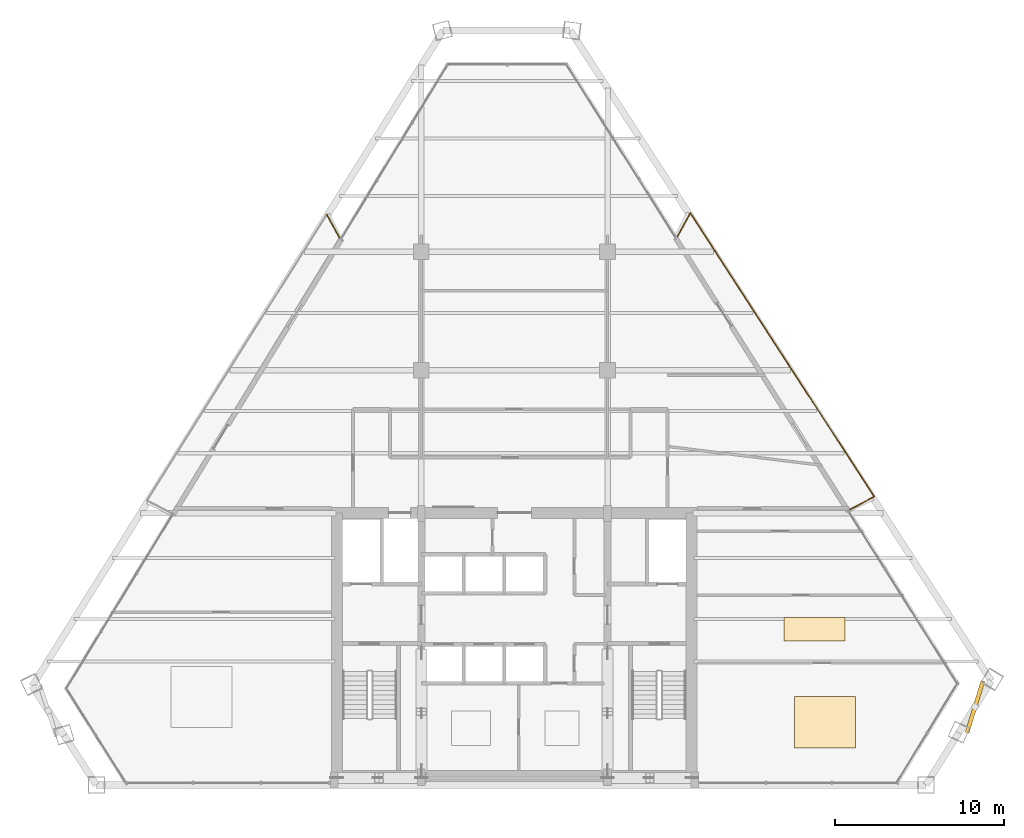
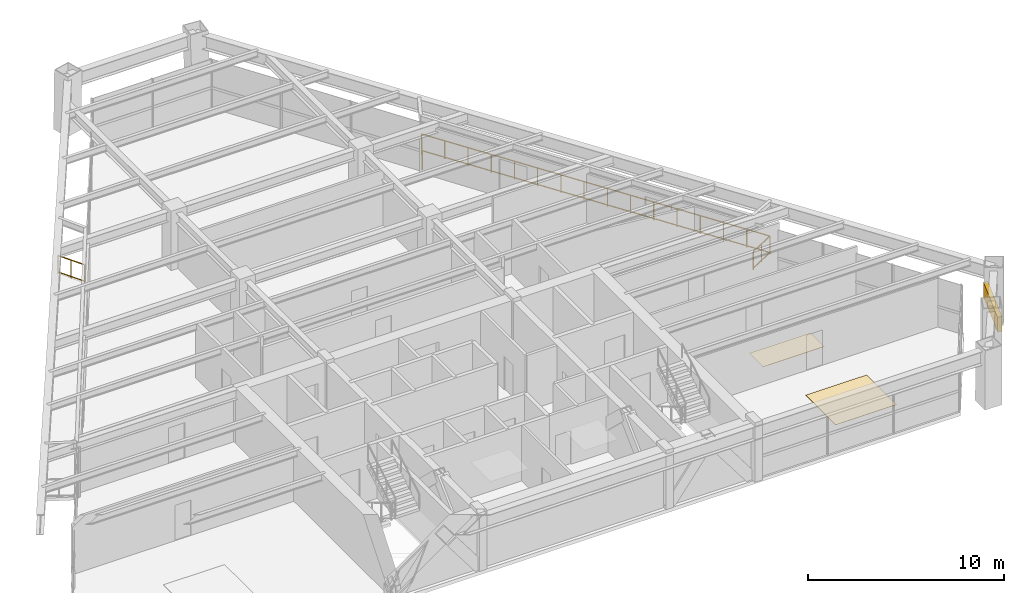
# One storey, part 13 of 13: 4 railings, 2 coverings, 1 shading device.
"""IFC4 building model written with IfcOpenShell, lengths in metres."""

from ifc_helpers import new_model, si_unit, direction, frame, origin, origin_2d, place, context, subcontext, project, spatial, rectangle, extrude, source, transform, mapped, material, layer, layer_set, type_object, type_shapes, element, save


model = new_model("IFC4")

# Units and contexts
model_context = context("Model", 3, precision=1e-05, world=origin(), true_north=direction((0.0, 1.0)))
body_context = subcontext(model_context, "Body", "Model", "MODEL_VIEW")
ifc_project = project(units=[si_unit("LENGTHUNIT", "METRE"), si_unit("AREAUNIT", "SQUARE_METRE"), si_unit("VOLUMEUNIT", "CUBIC_METRE"), si_unit("PLANEANGLEUNIT", "RADIAN"), si_unit("MASSUNIT", "GRAM", prefix="KILO")], contexts=[model_context])

# Site, building, storey
site_placement = place(None, origin())
site = spatial("IfcSite", under=ifc_project, at=site_placement, CompositionType="ELEMENT")
building_placement = place(site_placement, origin())
building = spatial("IfcBuilding", under=site, at=building_placement, Name="Varnakhor Terracotta Tower", CompositionType="ELEMENT")
storey_placement = place(building_placement, frame((0.0, 0.0, 200.60009765625)))
storey = spatial("IfcBuildingStorey", under=building, at=storey_placement, Name="L51", CompositionType="ELEMENT", Elevation=200.60009765625)

# Railings
ifc_material_1 = material(Name="Stainless Steel & Laminated Glass Guardrail", Category="steel")
railing_type = type_object("IfcRailingType", Name="RLG-LOGGIA-GUARD-1150", PredefinedType="GUARDRAIL", material=ifc_material_1)
railing_1_placement = place(storey_placement, frame((9.635498046875, 32.41064453125, 0.0)))
element("IfcRailing", 1, at=railing_1_placement, inside=storey, type_object=railing_type, Name="L51 E Loggia Glass Guard 1", PredefinedType="GUARDRAIL", context=body_context, shape_type="SweptSolid", body=[
    extrude(rectangle(XDim=0.048095703125, YDim=0.048095703125, at=origin_2d()), frame((0.0, 0.0, 1.1259765625), z_axis=(0.479382768446, 0.877605925981, 0.0), x_axis=(-0.877605925981, 0.479382768446, 0.0)), (0.0, 0.0, 1.0), 1.579345703125),
    extrude(rectangle(XDim=0.048095703125, YDim=0.048095703125, at=origin_2d()), frame((0.0, 0.0, 0.10009765625), z_axis=(0.479382768446, 0.877605925981, 0.0), x_axis=(-0.877605925981, 0.479382768446, 0.0)), (0.0, 0.0, 1.0), 1.579345703125),
    extrude(rectangle(XDim=0.0419921875, YDim=0.0419921875, at=origin_2d()), origin(), (0.0, 0.0, 1.0), 1.101806640625),
    extrude(rectangle(XDim=0.0419921875, YDim=0.0419921875, at=origin_2d()), frame((0.37841796875, 0.69287109375, 0.0)), (0.0, 0.0, 1.0), 1.101806640625),
    extrude(rectangle(XDim=0.0419921875, YDim=0.0419921875, at=origin_2d()), frame((0.757080078125, 1.385986328125, 0.0)), (0.0, 0.0, 1.0), 1.101806640625),
])
railing_2_placement = place(storey_placement, frame((10.392578125, 33.796630859375, 0.0)))
element("IfcRailing", 2, at=railing_2_placement, inside=storey, type_object=railing_type, Name="L51 E Loggia Glass Guard 2", PredefinedType="GUARDRAIL", context=body_context, shape_type="SweptSolid", body=[
    extrude(rectangle(XDim=0.048095703125, YDim=0.048095703125, at=origin_2d()), frame((0.0, 0.0, 1.1259765625), z_axis=(0.543813205443, -0.839206290245, 0.0), x_axis=(0.839206290245, 0.543813205443, 0.0)), (0.0, 0.0, 1.0), 19.973876953125),
    extrude(rectangle(XDim=0.048095703125, YDim=0.048095703125, at=origin_2d()), frame((0.0, 0.0, 0.10009765625), z_axis=(0.543813205443, -0.839206290245, 0.0), x_axis=(0.839206290245, 0.543813205443, 0.0)), (0.0, 0.0, 1.0), 19.973876953125),
    extrude(rectangle(XDim=0.0419921875, YDim=0.0419921875, at=origin_2d()), origin(), (0.0, 0.0, 1.0), 1.101806640625),
    extrude(rectangle(XDim=0.0419921875, YDim=0.0419921875, at=origin_2d()), frame((0.72412109375, -1.117431640625, 0.0)), (0.0, 0.0, 1.0), 1.101806640625),
    extrude(rectangle(XDim=0.0419921875, YDim=0.0419921875, at=origin_2d()), frame((1.4482421875, -2.23486328125, 0.0)), (0.0, 0.0, 1.0), 1.101806640625),
    extrude(rectangle(XDim=0.0419921875, YDim=0.0419921875, at=origin_2d()), frame((2.17236328125, -3.3525390625, 0.0)), (0.0, 0.0, 1.0), 1.101806640625),
    extrude(rectangle(XDim=0.0419921875, YDim=0.0419921875, at=origin_2d()), frame((2.896484375, -4.469970703125, 0.0)), (0.0, 0.0, 1.0), 1.101806640625),
    extrude(rectangle(XDim=0.0419921875, YDim=0.0419921875, at=origin_2d()), frame((3.62060546875, -5.58740234375, 0.0)), (0.0, 0.0, 1.0), 1.101806640625),
    extrude(rectangle(XDim=0.0419921875, YDim=0.0419921875, at=origin_2d()), frame((4.3447265625, -6.704833984375, 0.0)), (0.0, 0.0, 1.0), 1.101806640625),
    extrude(rectangle(XDim=0.0419921875, YDim=0.0419921875, at=origin_2d()), frame((5.06884765625, -7.822265625, 0.0)), (0.0, 0.0, 1.0), 1.101806640625),
    extrude(rectangle(XDim=0.0419921875, YDim=0.0419921875, at=origin_2d()), frame((5.793212890625, -8.93994140625, 0.0)), (0.0, 0.0, 1.0), 1.101806640625),
    extrude(rectangle(XDim=0.0419921875, YDim=0.0419921875, at=origin_2d()), frame((6.517333984375, -10.057373046875, 0.0)), (0.0, 0.0, 1.0), 1.101806640625),
    extrude(rectangle(XDim=0.0419921875, YDim=0.0419921875, at=origin_2d()), frame((7.241455078125, -11.1748046875, 0.0)), (0.0, 0.0, 1.0), 1.101806640625),
    extrude(rectangle(XDim=0.0419921875, YDim=0.0419921875, at=origin_2d()), frame((7.965576171875, -12.292236328125, 0.0)), (0.0, 0.0, 1.0), 1.101806640625),
    extrude(rectangle(XDim=0.0419921875, YDim=0.0419921875, at=origin_2d()), frame((8.689697265625, -13.40966796875, 0.0)), (0.0, 0.0, 1.0), 1.101806640625),
    extrude(rectangle(XDim=0.0419921875, YDim=0.0419921875, at=origin_2d()), frame((9.413818359375, -14.52734375, 0.0)), (0.0, 0.0, 1.0), 1.101806640625),
    extrude(rectangle(XDim=0.0419921875, YDim=0.0419921875, at=origin_2d()), frame((10.137939453125, -15.644775390625, 0.0)), (0.0, 0.0, 1.0), 1.101806640625),
    extrude(rectangle(XDim=0.0419921875, YDim=0.0419921875, at=origin_2d()), frame((10.862060546875, -16.76220703125, 0.0)), (0.0, 0.0, 1.0), 1.101806640625),
])
railing_3_placement = place(storey_placement, frame((21.254638671875, 17.034423828125, 0.0)))
element("IfcRailing", 3, at=railing_3_placement, inside=storey, type_object=railing_type, Name="L51 E Loggia Glass Guard 3", PredefinedType="GUARDRAIL", context=body_context, shape_type="SweptSolid", body=[
    extrude(rectangle(XDim=0.048095703125, YDim=0.048095703125, at=origin_2d()), frame((0.0, 0.0, 1.1259765625), z_axis=(-0.879870096666, -0.475214281133, 0.0), x_axis=(0.475214281133, -0.879870096666, 0.0)), (0.0, 0.0, 1.0), 1.619384765625),
    extrude(rectangle(XDim=0.048095703125, YDim=0.048095703125, at=origin_2d()), frame((0.0, 0.0, 0.10009765625), z_axis=(-0.879870096666, -0.475214281133, 0.0), x_axis=(0.475214281133, -0.879870096666, 0.0)), (0.0, 0.0, 1.0), 1.619384765625),
    extrude(rectangle(XDim=0.0419921875, YDim=0.0419921875, at=origin_2d()), origin(), (0.0, 0.0, 1.0), 1.101806640625),
    extrude(rectangle(XDim=0.0419921875, YDim=0.0419921875, at=origin_2d()), frame((-0.71240234375, -0.384765625, 0.0)), (0.0, 0.0, 1.0), 1.101806640625),
    extrude(rectangle(XDim=0.0419921875, YDim=0.0419921875, at=origin_2d()), frame((-1.4248046875, -0.76953125, 0.0)), (0.0, 0.0, 1.0), 1.101806640625),
])
railing_4_placement = place(storey_placement, frame((-11.093017578125, 33.7119140625, 0.0)))
element("IfcRailing", 4, at=railing_4_placement, inside=storey, type_object=railing_type, Name="L51 W Loggia Glass Guard 3", PredefinedType="GUARDRAIL", context=body_context, shape_type="SweptSolid", body=[
    extrude(rectangle(XDim=0.048095703125, YDim=0.048095703125, at=origin_2d()), frame((0.0, 0.0, 1.1259765625), z_axis=(0.481799881604, -0.876281275668, 0.0), x_axis=(0.876281275668, 0.481799881604, 0.0)), (0.0, 0.0, 1.0), 1.576904296875),
    extrude(rectangle(XDim=0.048095703125, YDim=0.048095703125, at=origin_2d()), frame((0.0, 0.0, 0.10009765625), z_axis=(0.481799881604, -0.876281275668, 0.0), x_axis=(0.876281275668, 0.481799881604, 0.0)), (0.0, 0.0, 1.0), 1.576904296875),
    extrude(rectangle(XDim=0.0419921875, YDim=0.0419921875, at=origin_2d()), origin(), (0.0, 0.0, 1.0), 1.101806640625),
    extrude(rectangle(XDim=0.0419921875, YDim=0.0419921875, at=origin_2d()), frame((0.3798828125, -0.69091796875, 0.0)), (0.0, 0.0, 1.0), 1.101806640625),
    extrude(rectangle(XDim=0.0419921875, YDim=0.0419921875, at=origin_2d()), frame((0.759765625, -1.3818359375, 0.0)), (0.0, 0.0, 1.0), 1.101806640625),
])

# Shading device
ifc_material_2 = material(Name="Extruded Architectural Terracotta Screen", Category="masonry")
shading_device_type = type_object("IfcShadingDeviceType", Name="TERRACOTTA SOLAR SCREEN E", PredefinedType="USERDEFINED", material=ifc_material_2)
shared_shape_1 = source(origin(), body_context, "Body", "SweptSolid", [
    extrude(rectangle(XDim=3.199951171875, YDim=0.239990234375, at=origin_2d()), origin(), (0.0, 0.0, 1.0), 0.919921875),
])
type_shapes(shading_device_type, [shared_shape_1])
shading_device_placement = place(storey_placement, frame((27.217529296875, 4.612060546875, 1.7099609375), z_axis=(0.0, 0.0, 1.0), x_axis=(0.293723356104, 0.955890469708, 0.0)))
element("IfcShadingDevice", 5, at=shading_device_placement, inside=storey, type_object=shading_device_type, Name="L51 E Terracotta Solar Screen", ObjectType="SCREEN", PredefinedType="USERDEFINED", context=body_context, shape_type="MappedRepresentation", body=[
    mapped(shared_shape_1, transform((0.0, 0.0, 0.0), scale=1.0)),
])

# Coverings
ifc_material_3 = material(Name="Honed Riyadh Limestone Flooring", Category="masonry")
ifc_layer = layer(ifc_material_3, 0.030029296875, Name="Honed Riyadh Limestone Flooring")
ifc_layer_set = layer_set([ifc_layer], Name="Honed Riyadh Limestone Flooring")
covering_type = type_object("IfcCoveringType", Name="COV-FLOOR-LIMESTONE", PredefinedType="FLOORING", material=ifc_layer_set)
shared_shape_2 = source(origin(), body_context, "Body", "SweptSolid", [
    extrude(rectangle(XDim=3.60009765625, YDim=3.049072265625, at=origin_2d()), origin(), (0.0, 0.0, 1.0), 0.02001953125),
])
covering_1_placement = place(storey_placement, frame((18.345947265625, 3.701904296875, 0.0), z_axis=(0.0, 0.0, 1.0), x_axis=(1.0, 0.0, 0.0)))
element("IfcCovering", 6, at=covering_1_placement, inside=storey, type_object=covering_type, Name="L51 Honed Stone Flooring 3", PredefinedType="FLOORING", context=body_context, shape_type="MappedRepresentation", body=[
    mapped(shared_shape_2, transform((0.0, 0.0, 0.0), scale=1.0)),
])
shared_shape_3 = source(origin(), body_context, "Body", "SweptSolid", [
    extrude(rectangle(XDim=3.60009765625, YDim=1.40087890625, at=origin_2d()), origin(), (0.0, 0.0, 1.0), 0.02001953125),
])
covering_2_placement = place(storey_placement, frame((17.73193359375, 9.199951171875, 0.0), z_axis=(0.0, 0.0, 1.0), x_axis=(1.0, 0.0, 0.0)))
element("IfcCovering", 7, at=covering_2_placement, inside=storey, type_object=covering_type, Name="L51 Honed Stone Flooring 5", PredefinedType="FLOORING", context=body_context, shape_type="MappedRepresentation", body=[
    mapped(shared_shape_3, transform((0.0, 0.0, 0.0), scale=1.0)),
])

save(model, "model.ifc")
